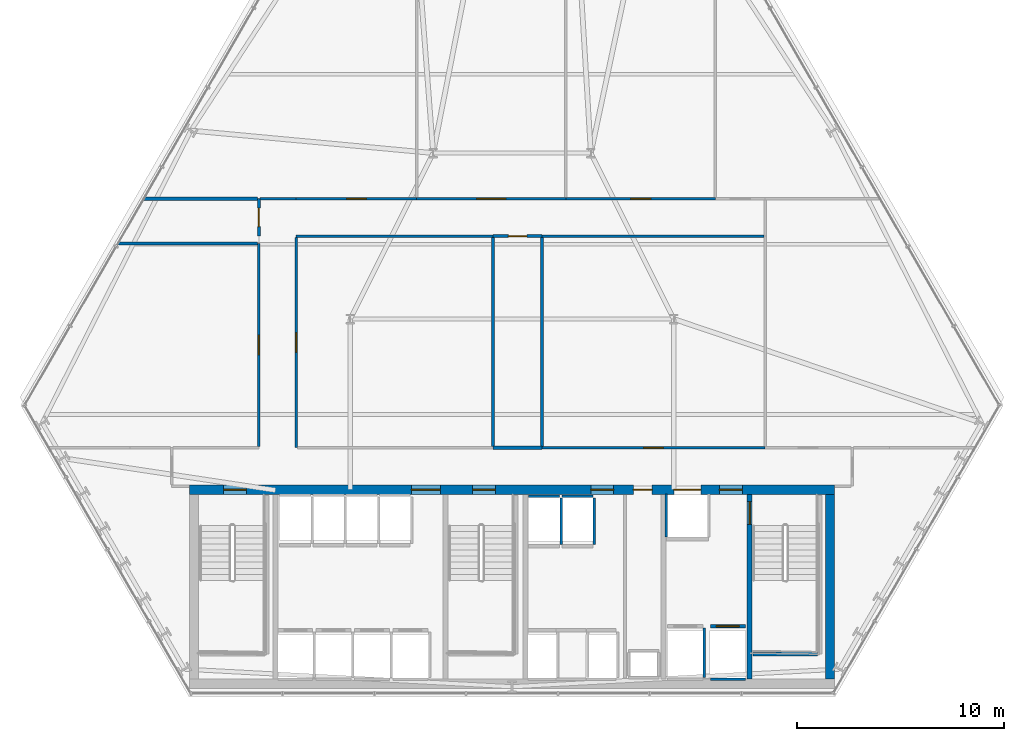
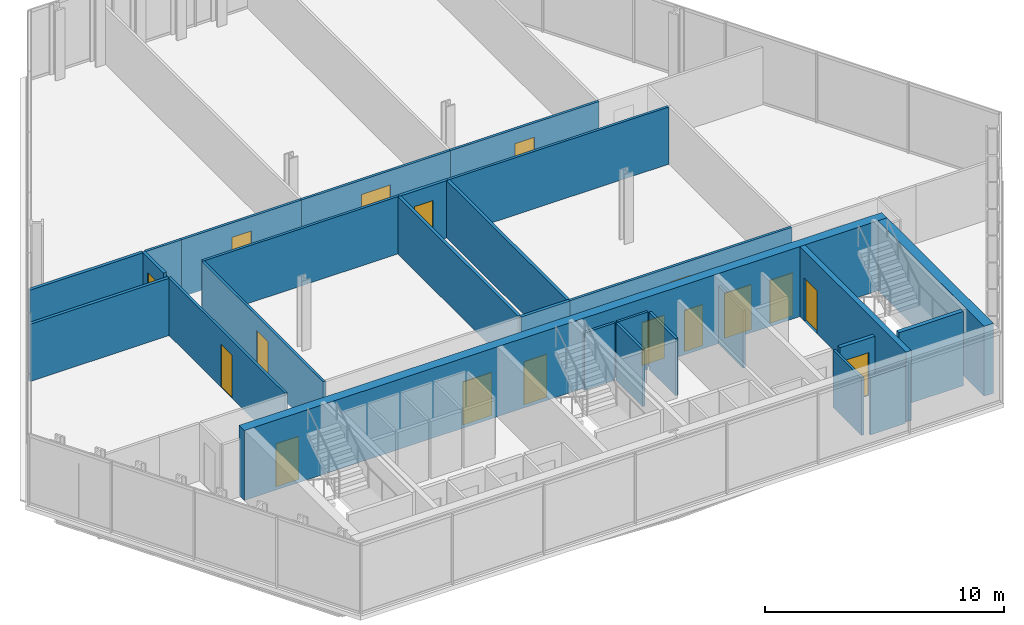
# One storey, part 28 of 32: 28 walls, 17 doors, 17 openings.
"""IFC4 building model written with IfcOpenShell, lengths in metres."""

from ifc_helpers import new_model, si_unit, direction, frame, frame_2d, origin, place, context, subcontext, project, spatial, rectangle, extrude, material, layer, layer_set, type_object, element, fill, save


model = new_model("IFC4")

# Units and contexts
model_context = context("Model", 3, precision=1e-05, world=origin(), true_north=direction((0.0, 1.0)))
body_context = subcontext(model_context, "Body", "Model", "MODEL_VIEW")
ifc_project = project(units=[si_unit("LENGTHUNIT", "METRE"), si_unit("AREAUNIT", "SQUARE_METRE"), si_unit("VOLUMEUNIT", "CUBIC_METRE"), si_unit("PLANEANGLEUNIT", "RADIAN"), si_unit("MASSUNIT", "GRAM", prefix="KILO")], contexts=[model_context])

# Site, building, storey
site_placement = place(None, origin())
site = spatial("IfcSite", under=ifc_project, at=site_placement, CompositionType="ELEMENT")
building_placement = place(site_placement, origin())
building = spatial("IfcBuilding", under=site, at=building_placement, Name="Ndaravel Arena Tower", CompositionType="ELEMENT")
storey_placement = place(building_placement, frame((0.0, 0.0, 47.39990234375)))
storey = spatial("IfcBuildingStorey", under=building, at=storey_placement, Name="L09", CompositionType="ELEMENT", Elevation=47.39990234375)

# Wall, opening, door
ifc_material_1 = material(Name="Concrete C60/75", Category="concrete")
ifc_layer_1 = layer(ifc_material_1, 0.25)
ifc_layer_set_1 = layer_set([ifc_layer_1], Name="Concrete C60/75")
wall_type_1 = type_object("IfcWallType", Name="WALL-CORE-250", PredefinedType="SOLIDWALL", material=ifc_layer_set_1)
wall_1_placement = place(storey_placement, frame((53.449951171875, 5.85009765625, 0.0), z_axis=(0.0, 0.0, 1.0), x_axis=(0.0, 1.0, 0.0)))
wall_1 = element("IfcWall", 1, at=wall_1_placement, inside=storey, type_object=wall_type_1, Name="L09 Core Web Shear Wall 5", PredefinedType="SOLIDWALL", context=body_context, shape_type="SweptSolid", body=[
    extrude(rectangle(XDim=8.89990234375, YDim=0.25, at=frame_2d((4.449951171875, 0.0))), origin(), (0.0, 0.0, 1.0), 3.580078125),
])
opening_1_placement = place(wall_1_placement, frame((7.449951171875, 0.0, 0.0)))
opening_1 = element("IfcOpeningElement", 2, at=opening_1_placement, cuts=wall_1, Name="Opening FD-01", PredefinedType="OPENING", context=body_context, shape_type="SweptSolid", body=[
    extrude(rectangle(XDim=1.10009765625, YDim=2.199951171875, at=frame_2d((0.550048828125, 1.10009765625))), frame((0.0, 0.125, 0.0), z_axis=(0.0, -1.0, 0.0), x_axis=(1.0, 0.0, 0.0)), (0.0, 0.0, 1.0), 0.25),
])
ifc_material_2 = material(Name="Steel S355", Category="steel")
door_type_1 = type_object("IfcDoorType", Name="DT-01-STAIR-1100", OperationType="SINGLE_SWING_LEFT", PredefinedType="DOOR", material=ifc_material_2)
door_1_placement = place(opening_1_placement, origin())
door_1 = element("IfcDoor", 3, at=door_1_placement, inside=storey, type_object=door_type_1, Name="L09 Firefighting Lobby to ST-3 Door", OperationType="SINGLE_SWING_LEFT", OverallHeight=2.199951171875, OverallWidth=1.10009765625, PredefinedType="DOOR", context=body_context, shape_type="SweptSolid", body=[
    extrude(rectangle(XDim=1.10009765625, YDim=2.199951171875, at=frame_2d((0.550048828125, 1.10009765625))), frame((0.0, 0.02490234375, 0.0), z_axis=(0.0, -1.0, 0.0), x_axis=(1.0, 0.0, 0.0)), (0.0, 0.0, 1.0), 0.050048828125),
])
fill(opening_1, door_1)

# Wall, openings, doors
ifc_material_3 = material(Name="Concrete C60/75", Category="concrete")
ifc_layer_2 = layer(ifc_material_3, 0.449951171875)
ifc_layer_set_2 = layer_set([ifc_layer_2], Name="Concrete C60/75")
wall_type_2 = type_object("IfcWallType", Name="WALL-CORE-450", PredefinedType="SOLIDWALL", material=ifc_layer_set_2)
wall_2_placement = place(storey_placement, frame((26.449951171875, 14.97509765625, 0.0), z_axis=(0.0, 0.0, 1.0), x_axis=(1.0, 0.0, 0.0)))
wall_2 = element("IfcWall", 4, at=wall_2_placement, inside=storey, type_object=wall_type_2, Name="L09 Core North Shear Wall", PredefinedType="SOLIDWALL", context=body_context, shape_type="SweptSolid", body=[
    extrude(rectangle(XDim=31.10009765625, YDim=0.449951171875, at=frame_2d((15.550048828125, 0.0))), origin(), (0.0, 0.0, 1.0), 3.580078125),
])
opening_2_placement = place(wall_2_placement, frame((1.64990234375, 0.0, 0.0)))
opening_2 = element("IfcOpeningElement", 5, at=opening_2_placement, cuts=wall_2, Name="Opening FD-01", PredefinedType="OPENING", context=body_context, shape_type="SweptSolid", body=[
    extrude(rectangle(XDim=1.10009765625, YDim=2.199951171875, at=frame_2d((0.550048828125, 1.10009765625))), frame((0.0, 0.22509765625, 0.0), z_axis=(0.0, -1.0, 0.0), x_axis=(1.0, 0.0, 0.0)), (0.0, 0.0, 1.0), 0.449951171875),
])
opening_3_placement = place(wall_2_placement, frame((13.64990234375, 0.0, 0.0)))
opening_3 = element("IfcOpeningElement", 6, at=opening_3_placement, cuts=wall_2, Name="Opening FD-01", PredefinedType="OPENING", context=body_context, shape_type="SweptSolid", body=[
    extrude(rectangle(XDim=1.10009765625, YDim=2.199951171875, at=frame_2d((0.550048828125, 1.10009765625))), frame((0.0, 0.22509765625, 0.0), z_axis=(0.0, -1.0, 0.0), x_axis=(1.0, 0.0, 0.0)), (0.0, 0.0, 1.0), 0.449951171875),
])
opening_4_placement = place(wall_2_placement, frame((25.550048828125, 0.0, 0.0)))
opening_4 = element("IfcOpeningElement", 7, at=opening_4_placement, cuts=wall_2, Name="Opening FD-01", PredefinedType="OPENING", context=body_context, shape_type="SweptSolid", body=[
    extrude(rectangle(XDim=1.10009765625, YDim=2.199951171875, at=frame_2d((0.550048828125, 1.10009765625))), frame((0.0, 0.22509765625, 0.0), z_axis=(0.0, -1.0, 0.0), x_axis=(1.0, 0.0, 0.0)), (0.0, 0.0, 1.0), 0.449951171875),
])
opening_5_placement = place(wall_2_placement, frame((10.699951171875, 0.0, 0.0)))
opening_5 = element("IfcOpeningElement", 8, at=opening_5_placement, cuts=wall_2, Name="Opening ID-02", PredefinedType="OPENING", context=body_context, shape_type="SweptSolid", body=[
    extrude(rectangle(XDim=1.39990234375, YDim=2.199951171875, at=frame_2d((0.699951171875, 1.10009765625))), frame((0.0, 0.22509765625, 0.0), z_axis=(0.0, -1.0, 0.0), x_axis=(1.0, 0.0, 0.0)), (0.0, 0.0, 1.0), 0.449951171875),
])
opening_6_placement = place(wall_2_placement, frame((19.35009765625, 0.0, 0.0)))
opening_6 = element("IfcOpeningElement", 9, at=opening_6_placement, cuts=wall_2, Name="Opening FD-01", PredefinedType="OPENING", context=body_context, shape_type="SweptSolid", body=[
    extrude(rectangle(XDim=1.10009765625, YDim=2.199951171875, at=frame_2d((0.550048828125, 1.10009765625))), frame((0.0, 0.22509765625, 0.0), z_axis=(0.0, -1.0, 0.0), x_axis=(1.0, 0.0, 0.0)), (0.0, 0.0, 1.0), 0.449951171875),
])
opening_7_placement = place(wall_2_placement, frame((21.39990234375, 0.0, 0.0)))
opening_7 = element("IfcOpeningElement", 10, at=opening_7_placement, cuts=wall_2, Name="Opening RD-01", PredefinedType="OPENING", context=body_context, shape_type="SweptSolid", body=[
    extrude(rectangle(XDim=0.89990234375, YDim=2.10009765625, at=frame_2d((0.449951171875, 1.050048828125))), frame((0.0, 0.22509765625, 0.0), z_axis=(0.0, -1.0, 0.0), x_axis=(1.0, 0.0, 0.0)), (0.0, 0.0, 1.0), 0.449951171875),
])
opening_8_placement = place(wall_2_placement, frame((23.35009765625, 0.0, 0.0)))
opening_8 = element("IfcOpeningElement", 11, at=opening_8_placement, cuts=wall_2, Name="Opening LD-02", PredefinedType="OPENING", context=body_context, shape_type="SweptSolid", body=[
    extrude(rectangle(XDim=1.300048828125, YDim=2.300048828125, at=frame_2d((0.64990234375, 1.14990234375))), frame((0.0, 0.22509765625, 0.0), z_axis=(0.0, -1.0, 0.0), x_axis=(1.0, 0.0, 0.0)), (0.0, 0.0, 1.0), 0.449951171875),
])
door_2_placement = place(opening_2_placement, origin())
door_2 = element("IfcDoor", 12, at=door_2_placement, inside=storey, type_object=door_type_1, Name="L09 Exit Stair ST-1 Door", OperationType="SINGLE_SWING_RIGHT", OverallHeight=2.199951171875, OverallWidth=1.10009765625, PredefinedType="DOOR", context=body_context, shape_type="SweptSolid", body=[
    extrude(rectangle(XDim=1.10009765625, YDim=2.199951171875, at=frame_2d((0.550048828125, 1.10009765625))), frame((0.0, 0.02490234375, 0.0), z_axis=(0.0, -1.0, 0.0), x_axis=(1.0, 0.0, 0.0)), (0.0, 0.0, 1.0), 0.050048828125),
])
fill(opening_2, door_2)
door_3_placement = place(opening_3_placement, origin())
door_3 = element("IfcDoor", 13, at=door_3_placement, inside=storey, type_object=door_type_1, Name="L09 Exit Stair ST-2 Door", OperationType="SINGLE_SWING_LEFT", OverallHeight=2.199951171875, OverallWidth=1.10009765625, PredefinedType="DOOR", context=body_context, shape_type="SweptSolid", body=[
    extrude(rectangle(XDim=1.10009765625, YDim=2.199951171875, at=frame_2d((0.550048828125, 1.10009765625))), frame((0.0, 0.02490234375, 0.0), z_axis=(0.0, -1.0, 0.0), x_axis=(1.0, 0.0, 0.0)), (0.0, 0.0, 1.0), 0.050048828125),
])
fill(opening_3, door_3)
door_4_placement = place(opening_4_placement, origin())
door_4 = element("IfcDoor", 14, at=door_4_placement, inside=storey, type_object=door_type_1, Name="L09 Firefighting Lift Lobby Door", OperationType="SINGLE_SWING_RIGHT", OverallHeight=2.199951171875, OverallWidth=1.10009765625, PredefinedType="DOOR", context=body_context, shape_type="SweptSolid", body=[
    extrude(rectangle(XDim=1.10009765625, YDim=2.199951171875, at=frame_2d((0.550048828125, 1.10009765625))), frame((0.0, 0.02490234375, 0.0), z_axis=(0.0, -1.0, 0.0), x_axis=(1.0, 0.0, 0.0)), (0.0, 0.0, 1.0), 0.050048828125),
])
fill(opening_4, door_4)
door_5_placement = place(opening_6_placement, origin())
door_5 = element("IfcDoor", 15, at=door_5_placement, inside=storey, type_object=door_type_1, Name="L09 Express Lift Lobby Entry Door", OperationType="SINGLE_SWING_LEFT", OverallHeight=2.199951171875, OverallWidth=1.10009765625, PredefinedType="DOOR", context=body_context, shape_type="SweptSolid", body=[
    extrude(rectangle(XDim=1.10009765625, YDim=2.199951171875, at=frame_2d((0.550048828125, 1.10009765625))), frame((0.0, 0.02490234375, 0.0), z_axis=(0.0, -1.0, 0.0), x_axis=(1.0, 0.0, 0.0)), (0.0, 0.0, 1.0), 0.050048828125),
])
fill(opening_6, door_5)
ifc_material_4 = material(Name="Timber", Category="wood")
door_type_2 = type_object("IfcDoorType", Name="DT-04-SUITE-1400", OperationType="DOUBLE_DOOR_SINGLE_SWING", PredefinedType="DOOR", material=ifc_material_4)
door_6_placement = place(opening_5_placement, origin())
door_6 = element("IfcDoor", 16, at=door_6_placement, inside=storey, type_object=door_type_2, Name="L09 West Lift Lobby Entry Door", OperationType="DOUBLE_DOOR_SINGLE_SWING", OverallHeight=2.199951171875, OverallWidth=1.39990234375, PredefinedType="DOOR", context=body_context, shape_type="SweptSolid", body=[
    extrude(rectangle(XDim=1.39990234375, YDim=2.199951171875, at=frame_2d((0.699951171875, 1.10009765625))), frame((0.0, 0.02490234375, 0.0), z_axis=(0.0, -1.0, 0.0), x_axis=(1.0, 0.0, 0.0)), (0.0, 0.0, 1.0), 0.050048828125),
])
fill(opening_5, door_6)
ifc_material_5 = material(Name="Steel S355", Category="steel")
door_type_3 = type_object("IfcDoorType", Name="DT-07-SVLIFT-1300", OperationType="DOUBLE_DOOR_SLIDING", PredefinedType="DOOR", material=ifc_material_5)
door_7_placement = place(opening_8_placement, origin())
door_7 = element("IfcDoor", 17, at=door_7_placement, inside=storey, type_object=door_type_3, Name="L09 Lift SVL-1 Sliding Landing Door", OperationType="DOUBLE_DOOR_SLIDING", OverallHeight=2.300048828125, OverallWidth=1.300048828125, PredefinedType="DOOR", context=body_context, shape_type="SweptSolid", body=[
    extrude(rectangle(XDim=1.300048828125, YDim=2.300048828125, at=frame_2d((0.64990234375, 1.14990234375))), frame((0.0, 0.02490234375, 0.0), z_axis=(0.0, -1.0, 0.0), x_axis=(1.0, 0.0, 0.0)), (0.0, 0.0, 1.0), 0.050048828125),
])
fill(opening_8, door_7)
ifc_material_6 = material(Name="Steel S355", Category="steel")
door_type_4 = type_object("IfcDoorType", Name="DT-08-RISER-900", OperationType="SINGLE_SWING_LEFT", PredefinedType="DOOR", material=ifc_material_6)
door_8_placement = place(opening_7_placement, origin())
door_8 = element("IfcDoor", 18, at=door_8_placement, inside=storey, type_object=door_type_4, Name="L09 Core Service Riser North Door", OperationType="SINGLE_SWING_LEFT", OverallHeight=2.10009765625, OverallWidth=0.89990234375, PredefinedType="DOOR", context=body_context, shape_type="SweptSolid", body=[
    extrude(rectangle(XDim=0.89990234375, YDim=2.10009765625, at=frame_2d((0.449951171875, 1.050048828125))), frame((0.0, 0.02490234375, 0.0), z_axis=(0.0, -1.0, 0.0), x_axis=(1.0, 0.0, 0.0)), (0.0, 0.0, 1.0), 0.050048828125),
])
fill(opening_7, door_8)

# Wall
wall_3_placement = place(storey_placement, frame((57.324951171875, 5.85009765625, 0.0), z_axis=(0.0, 0.0, 1.0), x_axis=(0.0, 1.0, 0.0)))
element("IfcWall", 19, at=wall_3_placement, inside=storey, type_object=wall_type_2, Name="L09 Core East Shear Wall", PredefinedType="SOLIDWALL", context=body_context, shape_type="SweptSolid", body=[
    extrude(rectangle(XDim=8.89990234375, YDim=0.449951171875, at=frame_2d((4.449951171875, 0.0))), origin(), (0.0, 0.0, 1.0), 3.580078125),
])

# Wall, opening, door
ifc_material_7 = material(Name="Gypsum", Category="gypsum")
ifc_layer_3 = layer(ifc_material_7, 0.125)
ifc_layer_set_3 = layer_set([ifc_layer_3], Name="Gypsum")
wall_type_3 = type_object("IfcWallType", Name="WALL-PART-125", PredefinedType="PARTITIONING", material=ifc_layer_set_3)
wall_4_placement = place(storey_placement, frame((29.800048828125, 17.06494140625, 0.0), z_axis=(0.0, 0.0, 1.0), x_axis=(0.0, 1.0, 0.0)))
wall_4 = element("IfcWall", 20, at=wall_4_placement, inside=storey, type_object=wall_type_3, Name="L09 Interior Partition 006", PredefinedType="PARTITIONING", context=body_context, shape_type="SweptSolid", body=[
    extrude(rectangle(XDim=9.775146484375, YDim=0.125, at=frame_2d((4.8876953125, 0.0))), origin(), (0.0, 0.0, 1.0), 2.932861328125),
])
opening_9_placement = place(wall_4_placement, frame((4.41259765625, 0.0, 0.0)))
opening_9 = element("IfcOpeningElement", 21, at=opening_9_placement, cuts=wall_4, Name="Opening ID-01", PredefinedType="OPENING", context=body_context, shape_type="SweptSolid", body=[
    extrude(rectangle(XDim=0.949951171875, YDim=2.199951171875, at=frame_2d((0.47509765625, 1.10009765625))), frame((0.0, 0.0625, 0.0), z_axis=(0.0, -1.0, 0.0), x_axis=(1.0, 0.0, 0.0)), (0.0, 0.0, 1.0), 0.125),
])
ifc_material_8 = material(Name="Timber", Category="wood")
door_type_5 = type_object("IfcDoorType", Name="DT-03-OFFICE-950", OperationType="SINGLE_SWING_LEFT", PredefinedType="DOOR", material=ifc_material_8)
door_9_placement = place(opening_9_placement, origin())
door_9 = element("IfcDoor", 22, at=door_9_placement, inside=storey, type_object=door_type_5, Name="L09 Quiet Reading Library Door", OperationType="SINGLE_SWING_RIGHT", OverallHeight=2.199951171875, OverallWidth=0.949951171875, PredefinedType="DOOR", context=body_context, shape_type="SweptSolid", body=[
    extrude(rectangle(XDim=0.949951171875, YDim=2.199951171875, at=frame_2d((0.47509765625, 1.10009765625))), frame((0.0, 0.02490234375, 0.0), z_axis=(0.0, -1.0, 0.0), x_axis=(1.0, 0.0, 0.0)), (0.0, 0.0, 1.0), 0.050048828125),
])
fill(opening_9, door_9)

# Wall
wall_5_placement = place(storey_placement, frame((29.864990234375, 29.0, 0.0), z_axis=(0.0, 0.0, 1.0), x_axis=(1.0, 0.0, 0.0)))
element("IfcWall", 23, at=wall_5_placement, inside=storey, type_object=wall_type_3, Name="L09 Interior Partition 008", PredefinedType="PARTITIONING", context=body_context, shape_type="SweptSolid", body=[
    extrude(rectangle(XDim=1.735107421875, YDim=0.125, at=frame_2d((0.86767578125, 0.0))), origin(), (0.0, 0.0, 1.0), 2.932861328125),
])

# Wall, opening, door
wall_6_placement = place(storey_placement, frame((31.60009765625, 29.0, 0.0), z_axis=(0.0, 0.0, 1.0), x_axis=(1.0, 0.0, 0.0)))
wall_6 = element("IfcWall", 24, at=wall_6_placement, inside=storey, type_object=wall_type_3, Name="L09 Interior Partition 009", PredefinedType="PARTITIONING", context=body_context, shape_type="SweptSolid", body=[
    extrude(rectangle(XDim=5.7998046875, YDim=0.125, at=frame_2d((2.89990234375, 0.0))), origin(), (0.0, 0.0, 1.0), 2.932861328125),
])
opening_10_placement = place(wall_6_placement, frame((2.425048828125, 0.0, 0.0)))
opening_10 = element("IfcOpeningElement", 25, at=opening_10_placement, cuts=wall_6, Name="Opening ID-01", PredefinedType="OPENING", context=body_context, shape_type="SweptSolid", body=[
    extrude(rectangle(XDim=0.949951171875, YDim=2.199951171875, at=frame_2d((0.47509765625, 1.10009765625))), frame((0.0, 0.0625, 0.0), z_axis=(0.0, -1.0, 0.0), x_axis=(1.0, 0.0, 0.0)), (0.0, 0.0, 1.0), 0.125),
])
door_10_placement = place(opening_10_placement, origin())
door_10 = element("IfcDoor", 26, at=door_10_placement, inside=storey, type_object=door_type_5, Name="L09 Quiet Study Room 3 Door", OperationType="SINGLE_SWING_LEFT", OverallHeight=2.199951171875, OverallWidth=0.949951171875, PredefinedType="DOOR", context=body_context, shape_type="SweptSolid", body=[
    extrude(rectangle(XDim=0.949951171875, YDim=2.199951171875, at=frame_2d((0.47509765625, 1.10009765625))), frame((0.0, 0.02490234375, 0.0), z_axis=(0.0, -1.0, 0.0), x_axis=(1.0, 0.0, 0.0)), (0.0, 0.0, 1.0), 0.050048828125),
])
fill(opening_10, door_10)

wall_7_placement = place(storey_placement, frame((37.39990234375, 29.0, 0.0), z_axis=(0.0, 0.0, 1.0), x_axis=(1.0, 0.0, 0.0)))
wall_7 = element("IfcWall", 27, at=wall_7_placement, inside=storey, type_object=wall_type_3, Name="L09 Interior Partition 010", PredefinedType="PARTITIONING", context=body_context, shape_type="SweptSolid", body=[
    extrude(rectangle(XDim=7.2001953125, YDim=0.125, at=frame_2d((3.60009765625, 0.0))), origin(), (0.0, 0.0, 1.0), 2.932861328125),
])
opening_11_placement = place(wall_7_placement, frame((2.89990234375, 0.0, 0.0)))
opening_11 = element("IfcOpeningElement", 28, at=opening_11_placement, cuts=wall_7, Name="Opening ID-02", PredefinedType="OPENING", context=body_context, shape_type="SweptSolid", body=[
    extrude(rectangle(XDim=1.39990234375, YDim=2.199951171875, at=frame_2d((0.699951171875, 1.10009765625))), frame((0.0, 0.0625, 0.0), z_axis=(0.0, -1.0, 0.0), x_axis=(1.0, 0.0, 0.0)), (0.0, 0.0, 1.0), 0.125),
])
door_11_placement = place(opening_11_placement, origin())
door_11 = element("IfcDoor", 29, at=door_11_placement, inside=storey, type_object=door_type_2, Name="L09 Executive Dining Lounge 4 Door", OperationType="SINGLE_SWING_LEFT", OverallHeight=2.199951171875, OverallWidth=1.39990234375, PredefinedType="DOOR", context=body_context, shape_type="SweptSolid", body=[
    extrude(rectangle(XDim=1.39990234375, YDim=2.199951171875, at=frame_2d((0.699951171875, 1.10009765625))), frame((0.0, 0.02490234375, 0.0), z_axis=(0.0, -1.0, 0.0), x_axis=(1.0, 0.0, 0.0)), (0.0, 0.0, 1.0), 0.050048828125),
])
fill(opening_11, door_11)

wall_8_placement = place(storey_placement, frame((44.60009765625, 29.0, 0.0), z_axis=(0.0, 0.0, 1.0), x_axis=(1.0, 0.0, 0.0)))
wall_8 = element("IfcWall", 30, at=wall_8_placement, inside=storey, type_object=wall_type_3, Name="L09 Interior Partition 011", PredefinedType="PARTITIONING", context=body_context, shape_type="SweptSolid", body=[
    extrude(rectangle(XDim=7.199951171875, YDim=0.125, at=frame_2d((3.60009765625, 0.0))), origin(), (0.0, 0.0, 1.0), 2.932861328125),
])
opening_12_placement = place(wall_8_placement, frame((3.125, 0.0, 0.0)))
opening_12 = element("IfcOpeningElement", 31, at=opening_12_placement, cuts=wall_8, Name="Opening ID-01", PredefinedType="OPENING", context=body_context, shape_type="SweptSolid", body=[
    extrude(rectangle(XDim=0.949951171875, YDim=2.199951171875, at=frame_2d((0.47509765625, 1.10009765625))), frame((0.0, 0.0625, 0.0), z_axis=(0.0, -1.0, 0.0), x_axis=(1.0, 0.0, 0.0)), (0.0, 0.0, 1.0), 0.125),
])
door_12_placement = place(opening_12_placement, origin())
door_12 = element("IfcDoor", 32, at=door_12_placement, inside=storey, type_object=door_type_5, Name="L09 Executive Corner Office 4 Door", OperationType="SINGLE_SWING_RIGHT", OverallHeight=2.199951171875, OverallWidth=0.949951171875, PredefinedType="DOOR", context=body_context, shape_type="SweptSolid", body=[
    extrude(rectangle(XDim=0.949951171875, YDim=2.199951171875, at=frame_2d((0.47509765625, 1.10009765625))), frame((0.0, 0.02490234375, 0.0), z_axis=(0.0, -1.0, 0.0), x_axis=(1.0, 0.0, 0.0)), (0.0, 0.0, 1.0), 0.050048828125),
])
fill(opening_12, door_12)

# Walls
wall_9_placement = place(storey_placement, frame((54.135009765625, 27.199951171875, 0.0), z_axis=(0.0, 0.0, 1.0), x_axis=(-1.0, 0.0, 0.0)))
element("IfcWall", 33, at=wall_9_placement, inside=storey, type_object=wall_type_3, Name="L09 Interior Partition 014", PredefinedType="PARTITIONING", context=body_context, shape_type="SweptSolid", body=[
    extrude(rectangle(XDim=10.68359375, YDim=0.125, at=frame_2d((5.341796875, 0.0))), origin(), (0.0, 0.0, 1.0), 2.932861328125),
])
wall_10_placement = place(storey_placement, frame((41.092041015625, 27.199951171875, 0.0), z_axis=(0.0, 0.0, 1.0), x_axis=(-1.0, 0.0, 0.0)))
element("IfcWall", 34, at=wall_10_placement, inside=storey, type_object=wall_type_3, Name="L09 Interior Partition 016", PredefinedType="PARTITIONING", context=body_context, shape_type="SweptSolid", body=[
    extrude(rectangle(XDim=9.491943359375, YDim=0.125, at=frame_2d((4.74609375, 0.0))), origin(), (0.0, 0.0, 1.0), 2.932861328125),
])

# Wall, opening, door
wall_11_placement = place(storey_placement, frame((31.60009765625, 27.135009765625, 0.0), z_axis=(0.0, 0.0, 1.0), x_axis=(0.0, -1.0, 0.0)))
wall_11 = element("IfcWall", 35, at=wall_11_placement, inside=storey, type_object=wall_type_3, Name="L09 Interior Partition 017", PredefinedType="PARTITIONING", context=body_context, shape_type="SweptSolid", body=[
    extrude(rectangle(XDim=10.135009765625, YDim=0.125, at=frame_2d((5.0673828125, 0.0))), origin(), (0.0, 0.0, 1.0), 2.932861328125),
])
opening_13_placement = place(wall_11_placement, frame((4.592529296875, 0.0, 0.0)))
opening_13 = element("IfcOpeningElement", 36, at=opening_13_placement, cuts=wall_11, Name="Opening ID-01", PredefinedType="OPENING", context=body_context, shape_type="SweptSolid", body=[
    extrude(rectangle(XDim=0.949951171875, YDim=2.199951171875, at=frame_2d((0.47509765625, 1.10009765625))), frame((0.0, 0.0625, 0.0), z_axis=(0.0, -1.0, 0.0), x_axis=(1.0, 0.0, 0.0)), (0.0, 0.0, 1.0), 0.125),
])
door_13_placement = place(opening_13_placement, origin())
door_13 = element("IfcDoor", 37, at=door_13_placement, inside=storey, type_object=door_type_5, Name="L09 Design Bookshop Boutique Door", OperationType="SINGLE_SWING_LEFT", OverallHeight=2.199951171875, OverallWidth=0.949951171875, PredefinedType="DOOR", context=body_context, shape_type="SweptSolid", body=[
    extrude(rectangle(XDim=0.949951171875, YDim=2.199951171875, at=frame_2d((0.47509765625, 1.10009765625))), frame((0.0, 0.02490234375, 0.0), z_axis=(0.0, -1.0, 0.0), x_axis=(1.0, 0.0, 0.0)), (0.0, 0.0, 1.0), 0.050048828125),
])
fill(opening_13, door_13)

wall_12_placement = place(storey_placement, frame((43.451416015625, 17.0, 0.0), z_axis=(0.0, 0.0, 1.0), x_axis=(1.0, 0.0, 0.0)))
wall_12 = element("IfcWall", 38, at=wall_12_placement, inside=storey, type_object=wall_type_3, Name="L09 Interior Partition 020", PredefinedType="PARTITIONING", context=body_context, shape_type="SweptSolid", body=[
    extrude(rectangle(XDim=10.74853515625, YDim=0.125, at=frame_2d((5.374267578125, 0.0))), origin(), (0.0, 0.0, 1.0), 2.932861328125),
])
opening_14_placement = place(wall_12_placement, frame((4.8994140625, 0.0, 0.0)))
opening_14 = element("IfcOpeningElement", 39, at=opening_14_placement, cuts=wall_12, Name="Opening ID-01", PredefinedType="OPENING", context=body_context, shape_type="SweptSolid", body=[
    extrude(rectangle(XDim=0.949951171875, YDim=2.199951171875, at=frame_2d((0.47509765625, 1.10009765625))), frame((0.0, 0.0625, 0.0), z_axis=(0.0, -1.0, 0.0), x_axis=(1.0, 0.0, 0.0)), (0.0, 0.0, 1.0), 0.125),
])
door_14_placement = place(opening_14_placement, origin())
door_14 = element("IfcDoor", 40, at=door_14_placement, inside=storey, type_object=door_type_5, Name="L09 Cellular Partner Office 2 Door", OperationType="SINGLE_SWING_LEFT", OverallHeight=2.199951171875, OverallWidth=0.949951171875, PredefinedType="DOOR", context=body_context, shape_type="SweptSolid", body=[
    extrude(rectangle(XDim=0.949951171875, YDim=2.199951171875, at=frame_2d((0.47509765625, 1.10009765625))), frame((0.0, 0.02490234375, 0.0), z_axis=(0.0, -1.0, 0.0), x_axis=(1.0, 0.0, 0.0)), (0.0, 0.0, 1.0), 0.050048828125),
])
fill(opening_14, door_14)

# Walls
ifc_material_9 = material(Name="Concrete C40/50", Category="concrete")
ifc_layer_4 = layer(ifc_material_9, 0.1201171875)
ifc_layer_set_4 = layer_set([ifc_layer_4], Name="Concrete C40/50")
wall_type_4 = type_object("IfcWallType", Name="WALL-SHAFT-120", PredefinedType="SOLIDWALL", material=ifc_layer_set_4)
wall_13_placement = place(storey_placement, frame((42.804931640625, 14.659912109375, 0.0), z_axis=(0.0, 0.0, 1.0), x_axis=(1.0, 0.0, 0.0)))
element("IfcWall", 41, at=wall_13_placement, inside=storey, type_object=wall_type_4, Name="L09 PL-OBS1 Shaft Rear Wall", PredefinedType="SOLIDWALL", context=body_context, shape_type="SweptSolid", body=[
    extrude(rectangle(XDim=1.489990234375, YDim=0.1201171875, at=frame_2d((0.7451171875, 0.0))), origin(), (0.0, 0.0, 1.0), 2.932861328125),
])
wall_14_placement = place(storey_placement, frame((44.375, 12.340087890625, 0.0), z_axis=(0.0, 0.0, 1.0), x_axis=(0.0, 1.0, 0.0)))
element("IfcWall", 42, at=wall_14_placement, inside=storey, type_object=wall_type_4, Name="L09 PL-OBS1 Shaft Side R Wall", PredefinedType="SOLIDWALL", context=body_context, shape_type="SweptSolid", body=[
    extrude(rectangle(XDim=2.22998046875, YDim=0.1201171875, at=frame_2d((1.114990234375, 0.0))), origin(), (0.0, 0.0, 1.0), 2.932861328125),
])
wall_15_placement = place(storey_placement, frame((44.405029296875, 14.659912109375, 0.0), z_axis=(0.0, 0.0, 1.0), x_axis=(1.0, 0.0, 0.0)))
element("IfcWall", 43, at=wall_15_placement, inside=storey, type_object=wall_type_4, Name="L09 PL-OBS2 Shaft Rear Wall", PredefinedType="SOLIDWALL", context=body_context, shape_type="SweptSolid", body=[
    extrude(rectangle(XDim=1.489990234375, YDim=0.1201171875, at=frame_2d((0.7451171875, 0.0))), origin(), (0.0, 0.0, 1.0), 2.932861328125),
])
wall_16_placement = place(storey_placement, frame((45.97509765625, 12.340087890625, 0.0), z_axis=(0.0, 0.0, 1.0), x_axis=(0.0, 1.0, 0.0)))
element("IfcWall", 44, at=wall_16_placement, inside=storey, type_object=wall_type_4, Name="L09 PL-OBS2 Shaft Side R Wall", PredefinedType="SOLIDWALL", context=body_context, shape_type="SweptSolid", body=[
    extrude(rectangle(XDim=2.22998046875, YDim=0.1201171875, at=frame_2d((1.114990234375, 0.0))), origin(), (0.0, 0.0, 1.0), 2.932861328125),
])
wall_17_placement = place(storey_placement, frame((51.27490234375, 5.929931640625, 0.0), z_axis=(0.0, 0.0, 1.0), x_axis=(0.0, 1.0, 0.0)))
element("IfcWall", 45, at=wall_17_placement, inside=storey, type_object=wall_type_4, Name="L09 FFL-1 Shaft Side R Wall", PredefinedType="SOLIDWALL", context=body_context, shape_type="SweptSolid", body=[
    extrude(rectangle(XDim=2.380126953125, YDim=0.1201171875, at=frame_2d((1.18994140625, 0.0))), origin(), (0.0, 0.0, 1.0), 2.932861328125),
])
wall_18_placement = place(storey_placement, frame((51.554931640625, 5.840087890625, 0.0), z_axis=(0.0, 0.0, 1.0), x_axis=(1.0, 0.0, 0.0)))
element("IfcWall", 46, at=wall_18_placement, inside=storey, type_object=wall_type_4, Name="L09 FFL-2 Shaft Rear Wall", PredefinedType="SOLIDWALL", context=body_context, shape_type="SweptSolid", body=[
    extrude(rectangle(XDim=1.690185546875, YDim=0.1201171875, at=frame_2d((0.84521484375, 0.0))), origin(), (0.0, 0.0, 1.0), 2.932861328125),
])
wall_19_placement = place(storey_placement, frame((49.43994140625, 12.68994140625, 0.0), z_axis=(0.0, 0.0, 1.0), x_axis=(0.0, 1.0, 0.0)))
element("IfcWall", 47, at=wall_19_placement, inside=storey, type_object=wall_type_4, Name="L09 SVL-1 Shaft W Wall", PredefinedType="SOLIDWALL", context=body_context, shape_type="SweptSolid", body=[
    extrude(rectangle(XDim=2.070068359375, YDim=0.1201171875, at=frame_2d((1.03515625, 0.0))), origin(), (0.0, 0.0, 1.0), 2.932861328125),
])
ifc_material_10 = material(Name="Concrete C40/50", Category="concrete")
ifc_layer_5 = layer(ifc_material_10, 0.199951171875)
ifc_layer_set_5 = layer_set([ifc_layer_5], Name="Concrete C40/50")
wall_type_5 = type_object("IfcWallType", Name="WALL-SHAFT-200", PredefinedType="SOLIDWALL", material=ifc_layer_set_5)
wall_20_placement = place(storey_placement, frame((53.6201171875, 7.050048828125, 0.0), z_axis=(0.0, 0.0, 1.0), x_axis=(1.0, 0.0, 0.0)))
element("IfcWall", 48, at=wall_20_placement, inside=storey, type_object=wall_type_5, Name="L09 ST-3 Structural Shaft Wall Far", PredefinedType="SOLIDWALL", context=body_context, shape_type="SweptSolid", body=[
    extrude(rectangle(XDim=3.114990234375, YDim=0.199951171875, at=frame_2d((1.5576171875, 0.0))), origin(), (0.0, 0.0, 1.0), 3.800048828125),
])

# Wall, opening, door
wall_21_placement = place(storey_placement, frame((51.554931640625, 8.39990234375, 0.0), z_axis=(0.0, 0.0, 1.0), x_axis=(1.0, 0.0, 0.0)))
wall_21 = element("IfcWall", 49, at=wall_21_placement, inside=storey, type_object=wall_type_5, Name="L09 FFL-2 Shaft Landing Wall", PredefinedType="SOLIDWALL", context=body_context, shape_type="SweptSolid", body=[
    extrude(rectangle(XDim=1.690185546875, YDim=0.179931640625, at=frame_2d((0.84521484375, 0.0))), origin(), (0.0, 0.0, 1.0), 2.932861328125),
])
opening_15_placement = place(wall_21_placement, frame((0.294921875, 0.0, 0.0)))
opening_15 = element("IfcOpeningElement", 50, at=opening_15_placement, cuts=wall_21, Name="Opening LD-01", PredefinedType="OPENING", context=body_context, shape_type="SweptSolid", body=[
    extrude(rectangle(XDim=1.10009765625, YDim=2.199951171875, at=frame_2d((0.550048828125, 1.10009765625))), frame((0.0, 0.08984375, 0.0), z_axis=(0.0, -1.0, 0.0), x_axis=(1.0, 0.0, 0.0)), (0.0, 0.0, 1.0), 0.179931640625),
])
ifc_material_11 = material(Name="Steel S355", Category="steel")
door_type_6 = type_object("IfcDoorType", Name="DT-06-LIFT-1100", OperationType="SLIDING_TO_LEFT", PredefinedType="DOOR", material=ifc_material_11)
door_15_placement = place(opening_15_placement, origin())
door_15 = element("IfcDoor", 51, at=door_15_placement, inside=storey, type_object=door_type_6, Name="L09 Lift FFL-2 Sliding Landing Door", OperationType="SLIDING_TO_LEFT", OverallHeight=2.199951171875, OverallWidth=1.10009765625, PredefinedType="DOOR", context=body_context, shape_type="SweptSolid", body=[
    extrude(rectangle(XDim=1.10009765625, YDim=2.199951171875, at=frame_2d((0.550048828125, 1.10009765625))), frame((0.0, 0.02490234375, 0.0), z_axis=(0.0, -1.0, 0.0), x_axis=(1.0, 0.0, 0.0)), (0.0, 0.0, 1.0), 0.050048828125),
])
fill(opening_15, door_15)

ifc_material_12 = material(Name="Masonry", Category="masonry")
ifc_layer_6 = layer(ifc_material_12, 0.14990234375)
ifc_layer_set_6 = layer_set([ifc_layer_6], Name="Masonry")
wall_type_6 = type_object("IfcWallType", Name="WALL-WET-150", PredefinedType="PARTITIONING", material=ifc_layer_set_6)
wall_22_placement = place(storey_placement, frame((29.800048828125, 27.199951171875, 0.0), z_axis=(0.0, 0.0, 1.0), x_axis=(0.0, 1.0, 0.0)))
wall_22 = element("IfcWall", 52, at=wall_22_placement, inside=storey, type_object=wall_type_6, Name="L09 Interior Partition 007", PredefinedType="PARTITIONING", context=body_context, shape_type="SweptSolid", body=[
    extrude(rectangle(XDim=1.800048828125, YDim=0.14990234375, at=frame_2d((0.89990234375, 0.0))), origin(), (0.0, 0.0, 1.0), 2.932861328125),
])
opening_16_placement = place(wall_22_placement, frame((0.449951171875, 0.0, 0.0)))
opening_16 = element("IfcOpeningElement", 53, at=opening_16_placement, cuts=wall_22, Name="Opening WD-01", PredefinedType="OPENING", context=body_context, shape_type="SweptSolid", body=[
    extrude(rectangle(XDim=0.89990234375, YDim=2.14990234375, at=frame_2d((0.449951171875, 1.074951171875))), frame((0.0, 0.074951171875, 0.0), z_axis=(0.0, -1.0, 0.0), x_axis=(1.0, 0.0, 0.0)), (0.0, 0.0, 1.0), 0.14990234375),
])
ifc_material_13 = material(Name="Timber", Category="wood")
door_type_7 = type_object("IfcDoorType", Name="DT-05-WC-900", OperationType="SINGLE_SWING_LEFT", PredefinedType="DOOR", material=ifc_material_13)
door_16_placement = place(opening_16_placement, origin())
door_16 = element("IfcDoor", 54, at=door_16_placement, inside=storey, type_object=door_type_7, Name="L09 Female & Accessible Restroom Door", OperationType="SINGLE_SWING_LEFT", OverallHeight=2.14990234375, OverallWidth=0.89990234375, PredefinedType="DOOR", context=body_context, shape_type="SweptSolid", body=[
    extrude(rectangle(XDim=0.89990234375, YDim=2.14990234375, at=frame_2d((0.449951171875, 1.074951171875))), frame((0.0, 0.02490234375, 0.0), z_axis=(0.0, -1.0, 0.0), x_axis=(1.0, 0.0, 0.0)), (0.0, 0.0, 1.0), 0.050048828125),
])
fill(opening_16, door_16)

wall_23_placement = place(storey_placement, frame((43.451416015625, 27.199951171875, 0.0), z_axis=(0.0, 0.0, 1.0), x_axis=(-1.0, 0.0, 0.0)))
wall_23 = element("IfcWall", 55, at=wall_23_placement, inside=storey, type_object=wall_type_6, Name="L09 Interior Partition 015", PredefinedType="PARTITIONING", context=body_context, shape_type="SweptSolid", body=[
    extrude(rectangle(XDim=2.359375, YDim=0.14990234375, at=frame_2d((1.1796875, 0.0))), origin(), (0.0, 0.0, 1.0), 2.932861328125),
])
opening_17_placement = place(wall_23_placement, frame((0.729736328125, 0.0, 0.0)))
opening_17 = element("IfcOpeningElement", 56, at=opening_17_placement, cuts=wall_23, Name="Opening WD-01", PredefinedType="OPENING", context=body_context, shape_type="SweptSolid", body=[
    extrude(rectangle(XDim=0.89990234375, YDim=2.14990234375, at=frame_2d((0.449951171875, 1.074951171875))), frame((0.0, 0.074951171875, 0.0), z_axis=(0.0, -1.0, 0.0), x_axis=(1.0, 0.0, 0.0)), (0.0, 0.0, 1.0), 0.14990234375),
])
door_17_placement = place(opening_17_placement, origin())
door_17 = element("IfcDoor", 57, at=door_17_placement, inside=storey, type_object=door_type_7, Name="L09 Male Staff & Visitor Restroom Door", OperationType="SINGLE_SWING_RIGHT", OverallHeight=2.14990234375, OverallWidth=0.89990234375, PredefinedType="DOOR", context=body_context, shape_type="SweptSolid", body=[
    extrude(rectangle(XDim=0.89990234375, YDim=2.14990234375, at=frame_2d((0.449951171875, 1.074951171875))), frame((0.0, 0.02490234375, 0.0), z_axis=(0.0, -1.0, 0.0), x_axis=(1.0, 0.0, 0.0)), (0.0, 0.0, 1.0), 0.050048828125),
])
fill(opening_17, door_17)

# Walls
wall_24_placement = place(storey_placement, frame((41.092041015625, 17.0, 0.0), z_axis=(0.0, 0.0, 1.0), x_axis=(1.0, 0.0, 0.0)))
element("IfcWall", 58, at=wall_24_placement, inside=storey, type_object=wall_type_6, Name="L09 Interior Partition 019", PredefinedType="PARTITIONING", context=body_context, shape_type="SweptSolid", body=[
    extrude(rectangle(XDim=2.359375, YDim=0.14990234375, at=frame_2d((1.1796875, 0.0))), origin(), (0.0, 0.0, 1.0), 2.932861328125),
])
wall_25_placement = place(storey_placement, frame((23.010498046875, 26.840087890625, 0.0), z_axis=(0.0, 0.0, 1.0), x_axis=(1.0, 0.0, 0.0)))
element("IfcWall", 59, at=wall_25_placement, inside=storey, type_object=wall_type_6, Name="L09 Interior Partition 026", PredefinedType="PARTITIONING", context=body_context, shape_type="SweptSolid", body=[
    extrude(rectangle(XDim=6.724609375, YDim=0.14990234375, at=frame_2d((3.3623046875, 0.0))), origin(), (0.0, 0.0, 1.0), 2.932861328125),
])
for number, where, z_axis, x_axis, name in (
    (60, (41.092041015625, 27.135009765625, 0.0), (0.0, 0.0, 1.0), (0.0, -1.0, 0.0), "L09 Interior Partition 027"),
    (61, (43.451416015625, 27.135009765625, 0.0), (0.0, 0.0, 1.0), (0.0, -1.0, 0.0), "L09 Interior Partition 028"),
):
    element("IfcWall", number, at=place(storey_placement, frame(where, z_axis=z_axis, x_axis=x_axis)), inside=storey, type_object=wall_type_6, Name=name, PredefinedType="PARTITIONING", context=body_context, shape_type="SweptSolid", body=[
        extrude(rectangle(XDim=10.070068359375, YDim=0.14990234375, at=frame_2d((5.03515625, 0.0))), origin(), (0.0, 0.0, 1.0), 2.932861328125),
    ])
wall_26_placement = place(storey_placement, frame((24.257568359375, 29.0, 0.0), z_axis=(0.0, 0.0, 1.0), x_axis=(1.0, 0.0, 0.0)))
element("IfcWall", 62, at=wall_26_placement, inside=storey, type_object=wall_type_6, Name="L09 Interior Partition 031", PredefinedType="PARTITIONING", context=body_context, shape_type="SweptSolid", body=[
    extrude(rectangle(XDim=5.4775390625, YDim=0.14990234375, at=frame_2d((2.73876953125, 0.0))), origin(), (0.0, 0.0, 1.0), 2.932861328125),
])

save(model, "model.ifc")
